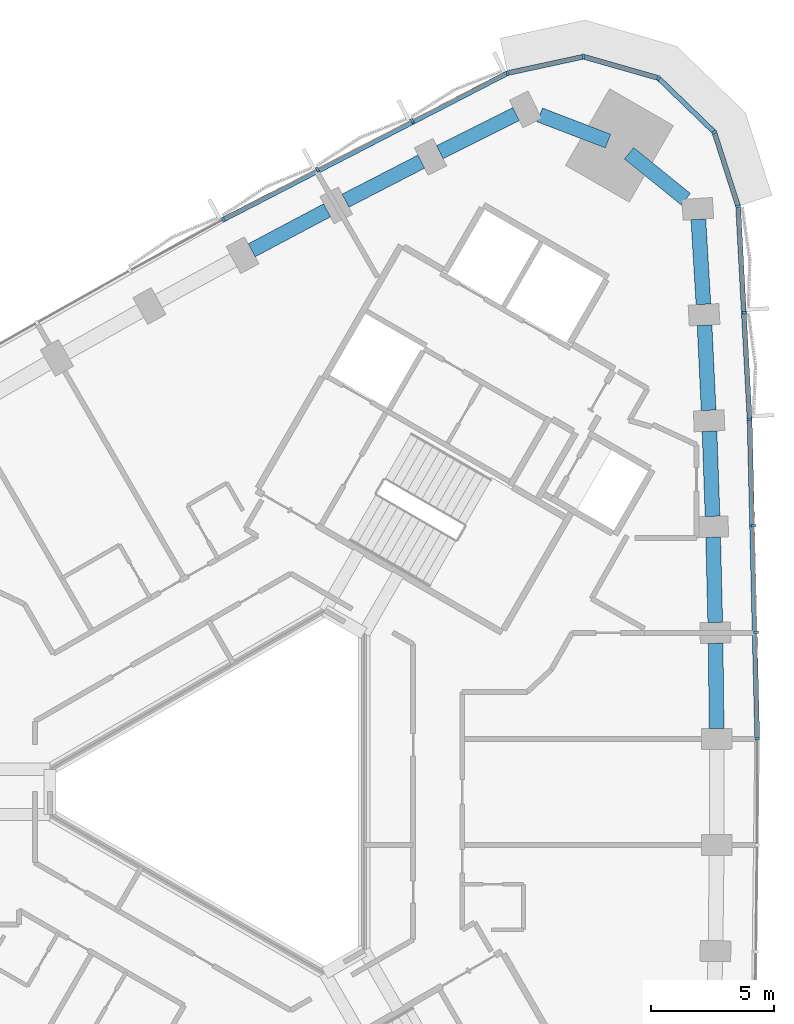
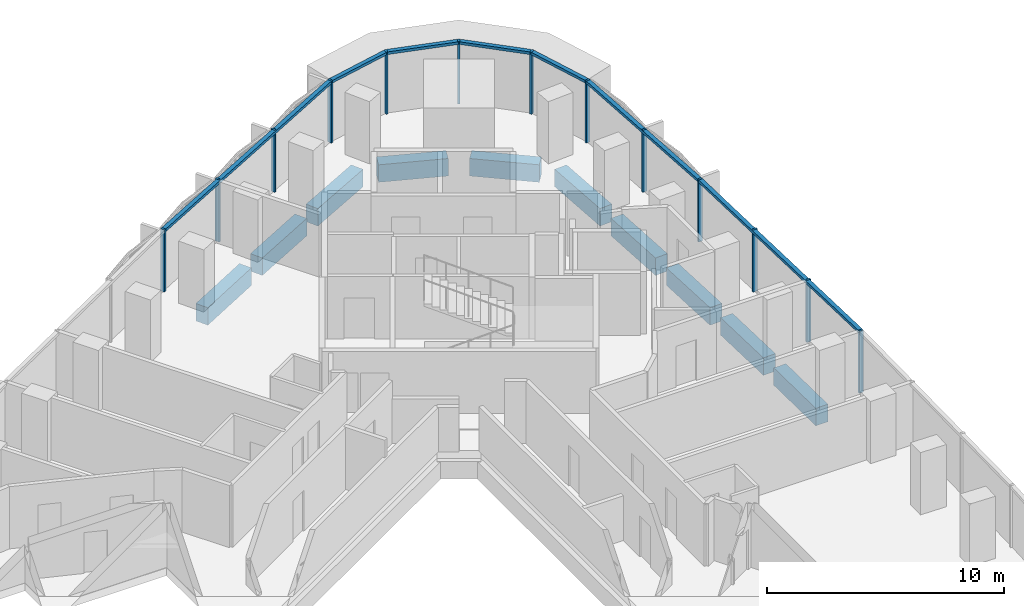
# One storey, part 5 of 15: 20 members, 10 beams, 2 elements without a shape of their own.
"""IFC4 building model written with IfcOpenShell, lengths in metres."""

from ifc_helpers import new_model, si_unit, direction, frame, origin, origin_2d, place, context, subcontext, project, spatial, rectangle, extrude, material, material_profile, profile_set, type_object, element, aggregate, save


model = new_model("IFC4")

# Units and contexts
model_context = context("Model", 3, precision=1e-05, world=origin(), true_north=direction((0.0, 1.0)))
body_context = subcontext(model_context, "Body", "Model", "MODEL_VIEW")
ifc_project = project(units=[si_unit("LENGTHUNIT", "METRE"), si_unit("AREAUNIT", "SQUARE_METRE"), si_unit("VOLUMEUNIT", "CUBIC_METRE"), si_unit("PLANEANGLEUNIT", "RADIAN"), si_unit("MASSUNIT", "GRAM", prefix="KILO")], contexts=[model_context])

# Site, building, storey
site_placement = place(None, origin())
site = spatial("IfcSite", under=ifc_project, at=site_placement, CompositionType="ELEMENT")
building_placement = place(site_placement, origin())
building = spatial("IfcBuilding", under=site, at=building_placement, Name="Tamra Quay Hotel Tower", CompositionType="ELEMENT")
storey_placement = place(building_placement, frame((0.0, 0.0, 136.0)))
storey = spatial("IfcBuildingStorey", under=building, at=storey_placement, Name="L33", CompositionType="ELEMENT", Elevation=136.0)

# Curtain wall, members
ifc_material_1 = material(Name="Aluminium 6063 anodised dark grey", Category="aluminium")
curtain_wall_type_1 = type_object("IfcCurtainWallType", Name="CW1 CURTAIN WALL", PredefinedType="NOTDEFINED", material=ifc_material_1)
curtain_wall_1_placement = place(storey_placement, origin())
curtain_wall_1 = element("IfcCurtainWall", 1, at=curtain_wall_1_placement, inside=storey, type_object=curtain_wall_type_1, Name="CW1 east face L33", PredefinedType="NOTDEFINED")
ifc_material_profile_1 = material_profile(ifc_material_1, rectangle(XDim=0.199951171875, YDim=0.10009765625, at=origin_2d()), Name="MULLION 100X200")
ifc_profile_set_1 = profile_set([ifc_material_profile_1], Name="Aluminium 6063 anodised dark grey")
member_type_1 = type_object("IfcMemberType", Name="MULLION CW1 Z3", PredefinedType="MULLION", material=ifc_profile_set_1)
member_1_placement = place(storey_placement, frame((20.81982421875, 2.17138671875, 0.0), z_axis=(0.0, 0.0, 1.0), x_axis=(0.99998212789, 0.005978620244, 0.0)))
member_1 = element("IfcMember", 2, at=member_1_placement, type_object=member_type_1, Name="CW1 mullion L33.E.7", PredefinedType="MULLION", context=body_context, shape_type="SweptSolid", body=[
    extrude(rectangle(XDim=0.199951171875, YDim=0.10009765625, at=origin_2d()), origin(), (0.0, 0.0, 1.0), 3.199951171875),
])
member_2_placement = place(storey_placement, frame((20.767822265625, 6.5126953125, 0.0), z_axis=(0.0, 0.0, 1.0), x_axis=(0.999839299777, 0.017926924493, 0.0)))
member_2 = element("IfcMember", 3, at=member_2_placement, type_object=member_type_1, Name="CW1 mullion L33.E.8", PredefinedType="MULLION", context=body_context, shape_type="SweptSolid", body=[
    extrude(rectangle(XDim=0.199951171875, YDim=0.10009765625, at=origin_2d()), origin(), (0.0, 0.0, 1.0), 3.199951171875),
])
member_3_placement = place(storey_placement, frame((20.6640625, 10.85400390625, 0.0), z_axis=(0.0, 0.0, 1.0), x_axis=(0.999553759324, 0.029871093397, 0.0)))
member_3 = element("IfcMember", 4, at=member_3_placement, type_object=member_type_1, Name="CW1 mullion L33.E.9", PredefinedType="MULLION", context=body_context, shape_type="SweptSolid", body=[
    extrude(rectangle(XDim=0.199951171875, YDim=0.10009765625, at=origin_2d()), origin(), (0.0, 0.0, 1.0), 3.199951171875),
])
member_4_placement = place(storey_placement, frame((20.50830078125, 15.19384765625, 0.0), z_axis=(0.0, 0.0, 1.0), x_axis=(0.999126133482, 0.041796762943, 0.0)))
member_4 = element("IfcMember", 5, at=member_4_placement, type_object=member_type_1, Name="CW1 mullion L33.E.10", PredefinedType="MULLION", context=body_context, shape_type="SweptSolid", body=[
    extrude(rectangle(XDim=0.199951171875, YDim=0.10009765625, at=origin_2d()), origin(), (0.0, 0.0, 1.0), 3.199951171875),
])
member_5_placement = place(storey_placement, frame((20.301025390625, 19.53076171875, 0.0), z_axis=(0.0, 0.0, 1.0), x_axis=(0.998557357992, 0.053695463492, 0.0)))
member_5 = element("IfcMember", 6, at=member_5_placement, type_object=member_type_1, Name="CW1 mullion L33.E.11", PredefinedType="MULLION", context=body_context, shape_type="SweptSolid", body=[
    extrude(rectangle(XDim=0.199951171875, YDim=0.10009765625, at=origin_2d()), origin(), (0.0, 0.0, 1.0), 3.199951171875),
])
member_6_placement = place(storey_placement, frame((20.042236328125, 23.864990234375, 0.0), z_axis=(0.0, 0.0, 1.0), x_axis=(0.982883191402, 0.184229834881, 0.0)))
member_6 = element("IfcMember", 7, at=member_6_placement, type_object=member_type_1, Name="CW1 mullion L33.E.12", PredefinedType="MULLION", context=body_context, shape_type="SweptSolid", body=[
    extrude(rectangle(XDim=0.199951171875, YDim=0.10009765625, at=origin_2d()), origin(), (0.0, 0.0, 1.0), 3.199951171875),
])
member_7_placement = place(storey_placement, frame((19.072265625, 26.883544921875, 0.0), z_axis=(0.0, 0.0, 1.0), x_axis=(0.849197833806, 0.52807484229, 0.0)))
member_7 = element("IfcMember", 8, at=member_7_placement, type_object=member_type_1, Name="CW1 mullion L33.E.13", PredefinedType="MULLION", context=body_context, shape_type="SweptSolid", body=[
    extrude(rectangle(XDim=0.199951171875, YDim=0.10009765625, at=origin_2d()), origin(), (0.0, 0.0, 1.0), 3.199951171875),
])
member_8_placement = place(storey_placement, frame((16.794189453125, 29.088134765625, 0.0), z_axis=(0.0, 0.0, 1.0), x_axis=(0.5, 0.866025403784, 0.0)))
member_8 = element("IfcMember", 9, at=member_8_placement, type_object=member_type_1, Name="CW1 mullion L33.E.14", PredefinedType="MULLION", context=body_context, shape_type="SweptSolid", body=[
    extrude(rectangle(XDim=0.199951171875, YDim=0.10009765625, at=origin_2d()), origin(), (0.0, 0.0, 1.0), 3.199951171875),
])
member_9_placement = place(storey_placement, frame((13.74560546875, 29.958740234375, 0.0), z_axis=(0.0, 0.0, 1.0), x_axis=(0.032727311619, 0.99946431806, 0.0)))
member_9 = element("IfcMember", 10, at=member_9_placement, type_object=member_type_1, Name="CW1 mullion L33.E.15", PredefinedType="MULLION", context=body_context, shape_type="SweptSolid", body=[
    extrude(rectangle(XDim=0.199951171875, YDim=0.10009765625, at=origin_2d()), origin(), (0.0, 0.0, 1.0), 3.199951171875),
])

curtain_wall_type_2 = type_object("IfcCurtainWallType", Name="CW2 CURTAIN WALL", PredefinedType="NOTDEFINED", material=ifc_material_1)
curtain_wall_2_placement = place(storey_placement, origin())
curtain_wall_2 = element("IfcCurtainWall", 11, at=curtain_wall_2_placement, inside=storey, type_object=curtain_wall_type_2, Name="CW2 north-west face L33", PredefinedType="NOTDEFINED")
ifc_material_profile_2 = material_profile(ifc_material_1, rectangle(XDim=0.199951171875, YDim=0.10009765625, at=origin_2d()), Name="MULLION 100X200")
ifc_profile_set_2 = profile_set([ifc_material_profile_2], Name="Aluminium 6063 anodised dark grey")
member_type_2 = type_object("IfcMemberType", Name="MULLION CW2 Z3", PredefinedType="MULLION", material=ifc_profile_set_2)
member_10_placement = place(storey_placement, frame((10.646728515625, 29.28955078125, 0.0), z_axis=(0.0, 0.0, 1.0), x_axis=(-0.331893878559, 0.943316730147, 0.0)))
member_10 = element("IfcMember", 12, at=member_10_placement, type_object=member_type_2, Name="CW2 mullion L33.NW.1", PredefinedType="MULLION", context=body_context, shape_type="SweptSolid", body=[
    extrude(rectangle(XDim=0.199951171875, YDim=0.10009765625, at=origin_2d()), origin(), (0.0, 0.0, 1.0), 3.199951171875),
])
member_11_placement = place(storey_placement, frame((6.763427734375, 27.3466796875, 0.0), z_axis=(0.0, 0.0, 1.0), x_axis=(-0.452777043544, 0.891623770903, 0.0)))
member_11 = element("IfcMember", 13, at=member_11_placement, type_object=member_type_2, Name="CW2 mullion L33.NW.2", PredefinedType="MULLION", context=body_context, shape_type="SweptSolid", body=[
    extrude(rectangle(XDim=0.199951171875, YDim=0.10009765625, at=origin_2d()), origin(), (0.0, 0.0, 1.0), 3.199951171875),
])
member_12_placement = place(storey_placement, frame((2.904052734375, 25.357666015625, 0.0), z_axis=(0.0, 0.0, 1.0), x_axis=(-0.463366008237, 0.886166994652, 0.0)))
member_12 = element("IfcMember", 14, at=member_12_placement, type_object=member_type_2, Name="CW2 mullion L33.NW.3", PredefinedType="MULLION", context=body_context, shape_type="SweptSolid", body=[
    extrude(rectangle(XDim=0.199951171875, YDim=0.10009765625, at=origin_2d()), origin(), (0.0, 0.0, 1.0), 3.199951171875),
])
member_13_placement = place(storey_placement, frame((-0.93212890625, 23.32275390625, 0.0), z_axis=(0.0, 0.0, 1.0), x_axis=(-0.473907753941, 0.880574494722, 0.0)))
member_13 = element("IfcMember", 15, at=member_13_placement, type_object=member_type_2, Name="CW2 mullion L33.NW.4", PredefinedType="MULLION", context=body_context, shape_type="SweptSolid", body=[
    extrude(rectangle(XDim=0.199951171875, YDim=0.10009765625, at=origin_2d()), origin(), (0.0, 0.0, 1.0), 3.199951171875),
])

# Beams
ifc_material_2 = material(Name="Concrete M60", Category="concrete")
ifc_material_profile_3 = material_profile(ifc_material_2, rectangle(XDim=0.60009765625, YDim=0.89990234375, at=origin_2d()), Name="SPANDREL BEAM RC 600x900")
ifc_profile_set_3 = profile_set([ifc_material_profile_3], Name="Concrete M60")
beam_type = type_object("IfcBeamType", Name="SPANDREL BEAM RC 600x900", PredefinedType="SPANDREL", material=ifc_profile_set_3)
beam_1_placement = place(storey_placement, frame((19.165771484375, 2.586181640625, -0.85009765625), z_axis=(-0.011951617666, 0.999928576867, 0.0), x_axis=(-0.999928576867, -0.011951617666, 0.0)))
element("IfcBeam", 16, at=beam_1_placement, inside=storey, type_object=beam_type, Name="BM-SP3-006-L33", PredefinedType="SPANDREL", context=body_context, shape_type="SweptSolid", body=[
    extrude(rectangle(XDim=0.60009765625, YDim=0.89990234375, at=origin_2d()), origin(), (0.0, 0.0, 1.0), 3.47265625),
])
beam_2_placement = place(storey_placement, frame((19.10888671875, 6.90869140625, -0.85009765625), z_axis=(-0.023906514803, 0.999714198434, 0.0), x_axis=(-0.999714198434, -0.023906514803, 0.0)))
element("IfcBeam", 17, at=beam_2_placement, inside=storey, type_object=beam_type, Name="BM-SP3-007-L33", PredefinedType="SPANDREL", context=body_context, shape_type="SweptSolid", body=[
    extrude(rectangle(XDim=0.60009765625, YDim=0.89990234375, at=origin_2d()), origin(), (0.0, 0.0, 1.0), 3.47216796875),
])
beam_3_placement = place(storey_placement, frame((19.00048828125, 11.2294921875, -0.85009765625), z_axis=(-0.035786826945, 0.999359446354, 0.0), x_axis=(-0.999359446354, -0.035786826945, 0.0)))
element("IfcBeam", 18, at=beam_3_placement, inside=storey, type_object=beam_type, Name="BM-SP3-008-L33", PredefinedType="SPANDREL", context=body_context, shape_type="SweptSolid", body=[
    extrude(rectangle(XDim=0.60009765625, YDim=0.89990234375, at=origin_2d()), origin(), (0.0, 0.0, 1.0), 3.472412109375),
])
beam_4_placement = place(storey_placement, frame((18.840576171875, 15.548828125, -0.85009765625), z_axis=(-0.047732145575, 0.998860171535, 0.0), x_axis=(-0.998860171535, -0.047732145575, 0.0)))
element("IfcBeam", 19, at=beam_4_placement, inside=storey, type_object=beam_type, Name="BM-SP3-009-L33", PredefinedType="SPANDREL", context=body_context, shape_type="SweptSolid", body=[
    extrude(rectangle(XDim=0.60009765625, YDim=0.89990234375, at=origin_2d()), origin(), (0.0, 0.0, 1.0), 3.472900390625),
])
beam_5_placement = place(storey_placement, frame((18.629150390625, 19.86669921875, -0.85009765625), z_axis=(-0.059620475238, 0.998221117254, 0.0), x_axis=(-0.998221117254, -0.059620475238, 0.0)))
element("IfcBeam", 20, at=beam_5_placement, inside=storey, type_object=beam_type, Name="BM-SP3-010-L33", PredefinedType="SPANDREL", context=body_context, shape_type="SweptSolid", body=[
    extrude(rectangle(XDim=0.60009765625, YDim=0.89990234375, at=origin_2d()), origin(), (0.0, 0.0, 1.0), 3.472412109375),
])
beam_6_placement = place(storey_placement, frame((17.909912109375, 24.151123046875, -0.85009765625), z_axis=(-0.777183767602, 0.629273701482, 0.0), x_axis=(-0.629273701482, -0.777183767602, 0.0)))
element("IfcBeam", 21, at=beam_6_placement, inside=storey, type_object=beam_type, Name="BM-SP3-011-L33", PredefinedType="SPANDREL", context=body_context, shape_type="SweptSolid", body=[
    extrude(rectangle(XDim=0.60009765625, YDim=0.89990234375, at=origin_2d()), origin(), (0.0, 0.0, 1.0), 2.977783203125),
])
beam_7_placement = place(storey_placement, frame((14.74072265625, 26.5185546875, -0.85009765625), z_axis=(-0.933527198951, 0.358506581278, 0.0), x_axis=(-0.358506581278, -0.933527198951, 0.0)))
element("IfcBeam", 22, at=beam_7_placement, inside=storey, type_object=beam_type, Name="BM-SP3-012-L33", PredefinedType="SPANDREL", context=body_context, shape_type="SweptSolid", body=[
    extrude(rectangle(XDim=0.60009765625, YDim=0.89990234375, at=origin_2d()), origin(), (0.0, 0.0, 1.0), 2.97802734375),
])
beam_8_placement = place(storey_placement, frame((10.995849609375, 27.620361328125, -0.85009765625), z_axis=(-0.894314670292, -0.447438566174, 0.0), x_axis=(0.447438566174, -0.894314670292, 0.0)))
element("IfcBeam", 23, at=beam_8_placement, inside=storey, type_object=beam_type, Name="BM-SP3-013-L33", PredefinedType="SPANDREL", context=body_context, shape_type="SweptSolid", body=[
    extrude(rectangle(XDim=0.60009765625, YDim=0.89990234375, at=origin_2d()), origin(), (0.0, 0.0, 1.0), 3.472412109375),
])
beam_9_placement = place(storey_placement, frame((7.132568359375, 25.681640625, -0.85009765625), z_axis=(-0.888919913451, -0.458062645792, 0.0), x_axis=(0.458062645792, -0.888919913451, 0.0)))
element("IfcBeam", 24, at=beam_9_placement, inside=storey, type_object=beam_type, Name="BM-SP3-014-L33", PredefinedType="SPANDREL", context=body_context, shape_type="SweptSolid", body=[
    extrude(rectangle(XDim=0.60009765625, YDim=0.89990234375, at=origin_2d()), origin(), (0.0, 0.0, 1.0), 3.472900390625),
])
beam_10_placement = place(storey_placement, frame((3.292236328125, 23.697021484375, -0.85009765625), z_axis=(-0.883411391477, -0.468598243071, 0.0), x_axis=(0.468598243071, -0.883411391477, 0.0)))
element("IfcBeam", 25, at=beam_10_placement, inside=storey, type_object=beam_type, Name="BM-SP3-015-L33", PredefinedType="SPANDREL", context=body_context, shape_type="SweptSolid", body=[
    extrude(rectangle(XDim=0.60009765625, YDim=0.89990234375, at=origin_2d()), origin(), (0.0, 0.0, 1.0), 3.472412109375),
])

# Member
ifc_material_profile_4 = material_profile(ifc_material_1, rectangle(XDim=0.199951171875, YDim=0.139892578125, at=origin_2d()), Name="TRANSOM 200X140")
ifc_profile_set_4 = profile_set([ifc_material_profile_4], Name="Aluminium 6063 anodised dark grey")
member_type_3 = type_object("IfcMemberType", Name="TRANSOM CW1 Z3", PredefinedType="USERDEFINED", material=ifc_profile_set_4)
member_14_placement = place(storey_placement, frame((20.819091796875, 2.22119140625, 3.1298828125), z_axis=(-0.023891765039, 0.999714551041, 0.0), x_axis=(-0.999714551041, -0.023891765039, 0.0)))
member_14 = element("IfcMember", 26, at=member_14_placement, type_object=member_type_3, Name="CW1 transom L33.E.7", ObjectType="TRANSOM", PredefinedType="USERDEFINED", context=body_context, shape_type="SweptSolid", body=[
    extrude(rectangle(XDim=0.199951171875, YDim=0.139892578125, at=origin_2d()), origin(), (0.0, 0.0, 1.0), 12.926513671875),
])

member_15_placement = place(storey_placement, frame((20.506103515625, 15.243896484375, 3.1298828125), z_axis=(-0.053699324936, 0.998557150343, 0.0), x_axis=(-0.998557150343, -0.053699324936, 0.0)))
member_15 = element("IfcMember", 27, at=member_15_placement, type_object=member_type_3, Name="CW1 transom L33.E.10", ObjectType="TRANSOM", PredefinedType="USERDEFINED", context=body_context, shape_type="SweptSolid", body=[
    extrude(rectangle(XDim=0.199951171875, YDim=0.139892578125, at=origin_2d()), origin(), (0.0, 0.0, 1.0), 8.583740234375),
])

member_16_placement = place(storey_placement, frame((20.02685546875, 23.91259765625, 3.1298828125), z_axis=(-0.30588048859, 0.952069916918, 0.0), x_axis=(-0.952069916918, -0.30588048859, 0.0)))
member_16 = element("IfcMember", 28, at=member_16_placement, type_object=member_type_3, Name="CW1 transom L33.E.12", ObjectType="TRANSOM", PredefinedType="USERDEFINED", context=body_context, shape_type="SweptSolid", body=[
    extrude(rectangle(XDim=0.199951171875, YDim=0.139892578125, at=origin_2d()), origin(), (0.0, 0.0, 1.0), 3.070556640625),
])

member_17_placement = place(storey_placement, frame((19.036376953125, 26.918212890625, 3.1298828125), z_axis=(-0.71858163235, 0.695442619955, 0.0), x_axis=(-0.695442619955, -0.71858163235, 0.0)))
member_17 = element("IfcMember", 29, at=member_17_placement, type_object=member_type_3, Name="CW1 transom L33.E.13", ObjectType="TRANSOM", PredefinedType="USERDEFINED", context=body_context, shape_type="SweptSolid", body=[
    extrude(rectangle(XDim=0.199951171875, YDim=0.139892578125, at=origin_2d()), origin(), (0.0, 0.0, 1.0), 3.0703125),
])

member_18_placement = place(storey_placement, frame((16.74609375, 29.10205078125, 3.1298828125), z_axis=(-0.961568942949, 0.274563595469, 0.0), x_axis=(-0.274563595469, -0.961568942949, 0.0)))
member_18 = element("IfcMember", 30, at=member_18_placement, type_object=member_type_3, Name="CW1 transom L33.E.14", ObjectType="TRANSOM", PredefinedType="USERDEFINED", context=body_context, shape_type="SweptSolid", body=[
    extrude(rectangle(XDim=0.199951171875, YDim=0.139892578125, at=origin_2d()), origin(), (0.0, 0.0, 1.0), 3.0703125),
])

member_19_placement = place(storey_placement, frame((13.69677734375, 29.9482421875, 3.1298828125), z_axis=(-0.977462525021, -0.211109005445, 0.0), x_axis=(0.211109005445, -0.977462525021, 0.0)))
member_19 = element("IfcMember", 31, at=member_19_placement, type_object=member_type_3, Name="CW1 transom L33.E.15", ObjectType="TRANSOM", PredefinedType="USERDEFINED", context=body_context, shape_type="SweptSolid", body=[
    extrude(rectangle(XDim=0.199951171875, YDim=0.139892578125, at=origin_2d()), origin(), (0.0, 0.0, 1.0), 3.0703125),
])

aggregate(curtain_wall_1, [member_1, member_14, member_2, member_3, member_4, member_15, member_5, member_6, member_16, member_7, member_17, member_8, member_18, member_9, member_19])

ifc_material_profile_5 = material_profile(ifc_material_1, rectangle(XDim=0.199951171875, YDim=0.139892578125, at=origin_2d()), Name="TRANSOM 200X140")
ifc_profile_set_5 = profile_set([ifc_material_profile_5], Name="Aluminium 6063 anodised dark grey")
member_type_4 = type_object("IfcMemberType", Name="TRANSOM CW2 Z3", PredefinedType="USERDEFINED", material=ifc_profile_set_5)
member_20_placement = place(storey_placement, frame((10.60205078125, 29.26708984375, 3.1298828125), z_axis=(-0.888917461153, -0.45806740471, 0.0), x_axis=(0.45806740471, -0.888917461153, 0.0)))
member_20 = element("IfcMember", 32, at=member_20_placement, type_object=member_type_4, Name="CW2 transom L33.NW.1", ObjectType="TRANSOM", PredefinedType="USERDEFINED", context=body_context, shape_type="SweptSolid", body=[
    extrude(rectangle(XDim=0.199951171875, YDim=0.139892578125, at=origin_2d()), origin(), (0.0, 0.0, 1.0), 12.92578125),
])

aggregate(curtain_wall_2, [member_10, member_20, member_11, member_12, member_13])

save(model, "model.ifc")
